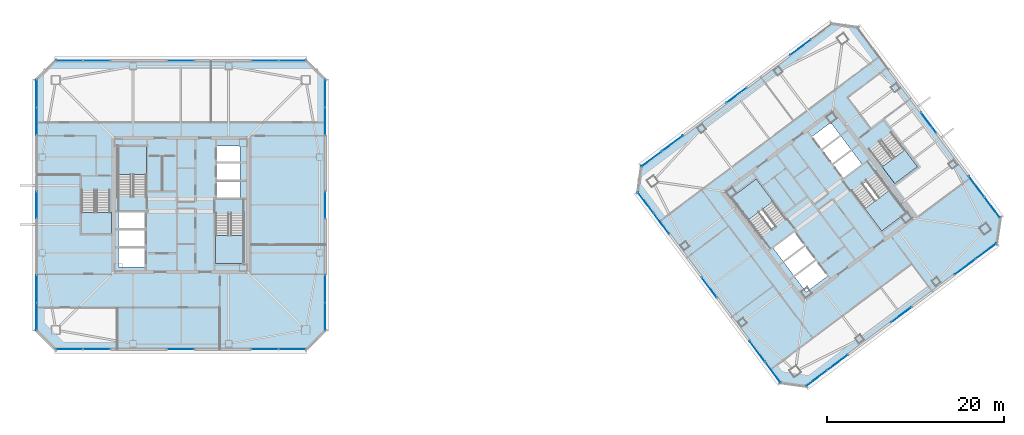
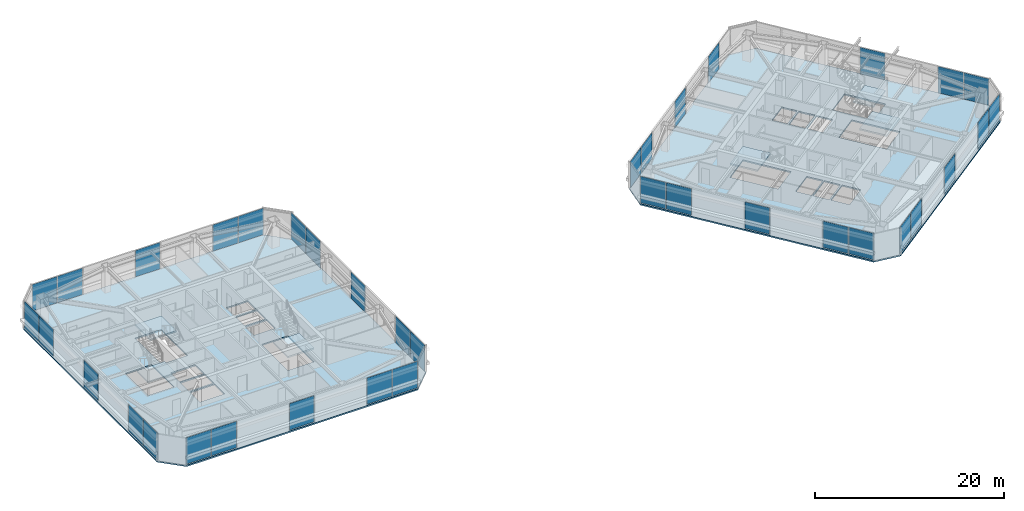
# One storey, part 32 of 44: 37 plates, 8 slabs, 29 elements without a shape of their own.
"""IFC4 building model written with IfcOpenShell, lengths in metres."""

from ifc_helpers import new_model, si_unit, direction, frame, origin, origin_2d, place, context, subcontext, project, spatial, polyline, rectangle, outline, extrude, material, layer, layer_set, type_object, element, aggregate, save


model = new_model("IFC4")

# Units and contexts
model_context = context("Model", 3, precision=1e-05, world=origin(), true_north=direction((0.0, 1.0)))
body_context = subcontext(model_context, "Body", "Model", "MODEL_VIEW")
ifc_project = project(units=[si_unit("LENGTHUNIT", "METRE"), si_unit("AREAUNIT", "SQUARE_METRE"), si_unit("VOLUMEUNIT", "CUBIC_METRE"), si_unit("PLANEANGLEUNIT", "RADIAN"), si_unit("MASSUNIT", "GRAM", prefix="KILO")], contexts=[model_context])

# Site, building, storey
site_placement = place(None, origin())
site = spatial("IfcSite", under=ifc_project, at=site_placement, CompositionType="ELEMENT")
building_placement = place(site_placement, origin())
building = spatial("IfcBuilding", under=site, at=building_placement, Name="Tashvorn Skyway Center", CompositionType="ELEMENT")
storey_placement = place(building_placement, frame((0.0, 0.0, 211.300048828125)))
storey = spatial("IfcBuildingStorey", under=building, at=storey_placement, Name="L57", CompositionType="ELEMENT", Elevation=211.300048828125)

# Curtain wall, plates
ifc_material_1 = material(Name="Thermally broken bronze-anodized aluminium 6063-T6", Category="aluminium")
curtain_wall_type = type_object("IfcCurtainWallType", Name="CW-CW-Z5", PredefinedType="NOTDEFINED", material=ifc_material_1)
curtain_wall_1_placement = place(storey_placement, origin())
curtain_wall_1 = element("IfcCurtainWall", 1, at=curtain_wall_1_placement, inside=storey, type_object=curtain_wall_type, Name="Tower 1 L57 South Unitised Curtain Wall Glazing Group 1", PredefinedType="NOTDEFINED")
ifc_material_2 = material(Name="Low-E solar-control double insulating safety glass", Category="glass")
ifc_layer_1 = layer(ifc_material_2, 0.031982421875)
ifc_layer_set_1 = layer_set([ifc_layer_1], Name="Low-E solar-control double insulating safety glass")
plate_type = type_object("IfcPlateType", Name="CWP-CW-Z5", PredefinedType="CURTAIN_PANEL", material=ifc_layer_set_1)
plate_1_placement = place(storey_placement, frame((54.5869140625, 15.719970703125, 0.06982421875), z_axis=(0.0, 0.0, 1.0), x_axis=(-1.0, 0.0, 0.0)))
plate_1 = element("IfcPlate", 2, at=plate_1_placement, type_object=plate_type, Name="CW-Z5 panel 1.1", PredefinedType="CURTAIN_PANEL", context=body_context, shape_type="SweptSolid", body=[
    extrude(rectangle(XDim=3.046142578125, YDim=0.031982421875, at=origin_2d()), origin(), (0.0, 0.0, 1.0), 3.409912109375),
])
plate_2_placement = place(storey_placement, frame((51.470947265625, 15.719970703125, 0.06982421875), z_axis=(0.0, 0.0, 1.0), x_axis=(-1.0, 0.0, 0.0)))
plate_2 = element("IfcPlate", 3, at=plate_2_placement, type_object=plate_type, Name="CW-Z5 panel 2.1", PredefinedType="CURTAIN_PANEL", context=body_context, shape_type="SweptSolid", body=[
    extrude(rectangle(XDim=3.046142578125, YDim=0.031982421875, at=origin_2d()), origin(), (0.0, 0.0, 1.0), 3.409912109375),
])
aggregate(curtain_wall_1, [plate_1, plate_2])

# Curtain wall, plate
curtain_wall_2_placement = place(storey_placement, origin())
curtain_wall_2 = element("IfcCurtainWall", 4, at=curtain_wall_2_placement, inside=storey, type_object=curtain_wall_type, Name="Tower 1 L57 South Unitised Curtain Wall Glazing Group 2", PredefinedType="NOTDEFINED")
plate_3_placement = place(storey_placement, frame((42.0, 15.719970703125, 0.06982421875), z_axis=(0.0, 0.0, 1.0), x_axis=(-1.0, 0.0, 0.0)))
plate_3 = element("IfcPlate", 5, at=plate_3_placement, type_object=plate_type, Name="CW-Z5 panel 1.1", PredefinedType="CURTAIN_PANEL", context=body_context, shape_type="SweptSolid", body=[
    extrude(rectangle(XDim=3.01123046875, YDim=0.031982421875, at=origin_2d()), origin(), (0.0, 0.0, 1.0), 3.409912109375),
])
aggregate(curtain_wall_2, [plate_3])

# Curtain wall, plates
curtain_wall_3_placement = place(storey_placement, origin())
curtain_wall_3 = element("IfcCurtainWall", 6, at=curtain_wall_3_placement, inside=storey, type_object=curtain_wall_type, Name="Tower 1 L57 South Unitised Curtain Wall Glazing Group 3", PredefinedType="NOTDEFINED")
plate_4_placement = place(storey_placement, frame((32.529052734375, 15.719970703125, 0.06982421875), z_axis=(0.0, 0.0, 1.0), x_axis=(-1.0, 0.0, 0.0)))
plate_4 = element("IfcPlate", 7, at=plate_4_placement, type_object=plate_type, Name="CW-Z5 panel 1.1", PredefinedType="CURTAIN_PANEL", context=body_context, shape_type="SweptSolid", body=[
    extrude(rectangle(XDim=3.046142578125, YDim=0.031982421875, at=origin_2d()), origin(), (0.0, 0.0, 1.0), 3.409912109375),
])
plate_5_placement = place(storey_placement, frame((29.4130859375, 15.719970703125, 0.06982421875), z_axis=(0.0, 0.0, 1.0), x_axis=(-1.0, 0.0, 0.0)))
plate_5 = element("IfcPlate", 8, at=plate_5_placement, type_object=plate_type, Name="CW-Z5 panel 2.1", PredefinedType="CURTAIN_PANEL", context=body_context, shape_type="SweptSolid", body=[
    extrude(rectangle(XDim=3.046142578125, YDim=0.031982421875, at=origin_2d()), origin(), (0.0, 0.0, 1.0), 3.409912109375),
])
aggregate(curtain_wall_3, [plate_4, plate_5])

curtain_wall_4_placement = place(storey_placement, origin())
curtain_wall_4 = element("IfcCurtainWall", 9, at=curtain_wall_4_placement, inside=storey, type_object=curtain_wall_type, Name="Tower 1 L57 West Unitised Curtain Wall Glazing Group 1", PredefinedType="NOTDEFINED")
plate_6_placement = place(storey_placement, frame((25.719970703125, 19.4130859375, 0.06982421875), z_axis=(0.0, 0.0, 1.0), x_axis=(0.0, 1.0, 0.0)))
plate_6 = element("IfcPlate", 10, at=plate_6_placement, type_object=plate_type, Name="CW-Z5 panel 1.1", PredefinedType="CURTAIN_PANEL", context=body_context, shape_type="SweptSolid", body=[
    extrude(rectangle(XDim=3.046142578125, YDim=0.031982421875, at=origin_2d()), origin(), (0.0, 0.0, 1.0), 3.409912109375),
])
plate_7_placement = place(storey_placement, frame((25.719970703125, 22.529052734375, 0.06982421875), z_axis=(0.0, 0.0, 1.0), x_axis=(0.0, 1.0, 0.0)))
plate_7 = element("IfcPlate", 11, at=plate_7_placement, type_object=plate_type, Name="CW-Z5 panel 2.1", PredefinedType="CURTAIN_PANEL", context=body_context, shape_type="SweptSolid", body=[
    extrude(rectangle(XDim=3.046142578125, YDim=0.031982421875, at=origin_2d()), origin(), (0.0, 0.0, 1.0), 3.409912109375),
])
aggregate(curtain_wall_4, [plate_6, plate_7])

# Curtain wall, plate
curtain_wall_5_placement = place(storey_placement, origin())
curtain_wall_5 = element("IfcCurtainWall", 12, at=curtain_wall_5_placement, inside=storey, type_object=curtain_wall_type, Name="Tower 1 L57 West Unitised Curtain Wall Glazing Group 2", PredefinedType="NOTDEFINED")
plate_8_placement = place(storey_placement, frame((25.719970703125, 32.0, 0.06982421875), z_axis=(0.0, 0.0, 1.0), x_axis=(0.0, 1.0, 0.0)))
plate_8 = element("IfcPlate", 13, at=plate_8_placement, type_object=plate_type, Name="CW-Z5 panel 1.1", PredefinedType="CURTAIN_PANEL", context=body_context, shape_type="SweptSolid", body=[
    extrude(rectangle(XDim=3.01123046875, YDim=0.031982421875, at=origin_2d()), origin(), (0.0, 0.0, 1.0), 3.409912109375),
])
aggregate(curtain_wall_5, [plate_8])

# Curtain wall, plates
curtain_wall_6_placement = place(storey_placement, origin())
curtain_wall_6 = element("IfcCurtainWall", 14, at=curtain_wall_6_placement, inside=storey, type_object=curtain_wall_type, Name="Tower 1 L57 West Unitised Curtain Wall Glazing Group 3", PredefinedType="NOTDEFINED")
plate_9_placement = place(storey_placement, frame((25.719970703125, 41.470947265625, 0.06982421875), z_axis=(0.0, 0.0, 1.0), x_axis=(0.0, 1.0, 0.0)))
plate_9 = element("IfcPlate", 15, at=plate_9_placement, type_object=plate_type, Name="CW-Z5 panel 1.1", PredefinedType="CURTAIN_PANEL", context=body_context, shape_type="SweptSolid", body=[
    extrude(rectangle(XDim=3.046142578125, YDim=0.031982421875, at=origin_2d()), origin(), (0.0, 0.0, 1.0), 3.409912109375),
])
plate_10_placement = place(storey_placement, frame((25.719970703125, 44.5869140625, 0.06982421875), z_axis=(0.0, 0.0, 1.0), x_axis=(0.0, 1.0, 0.0)))
plate_10 = element("IfcPlate", 16, at=plate_10_placement, type_object=plate_type, Name="CW-Z5 panel 2.1", PredefinedType="CURTAIN_PANEL", context=body_context, shape_type="SweptSolid", body=[
    extrude(rectangle(XDim=3.046142578125, YDim=0.031982421875, at=origin_2d()), origin(), (0.0, 0.0, 1.0), 3.409912109375),
])
aggregate(curtain_wall_6, [plate_9, plate_10])

curtain_wall_7_placement = place(storey_placement, origin())
curtain_wall_7 = element("IfcCurtainWall", 17, at=curtain_wall_7_placement, inside=storey, type_object=curtain_wall_type, Name="Tower 1 L57 North Unitised Curtain Wall Glazing Group 1", PredefinedType="NOTDEFINED")
plate_11_placement = place(storey_placement, frame((29.4130859375, 48.280029296875, 0.06982421875), z_axis=(0.0, 0.0, 1.0), x_axis=(1.0, 0.0, 0.0)))
plate_11 = element("IfcPlate", 18, at=plate_11_placement, type_object=plate_type, Name="CW-Z5 panel 1.1", PredefinedType="CURTAIN_PANEL", context=body_context, shape_type="SweptSolid", body=[
    extrude(rectangle(XDim=3.046142578125, YDim=0.031982421875, at=origin_2d()), origin(), (0.0, 0.0, 1.0), 3.409912109375),
])
plate_12_placement = place(storey_placement, frame((32.529052734375, 48.280029296875, 0.06982421875), z_axis=(0.0, 0.0, 1.0), x_axis=(1.0, 0.0, 0.0)))
plate_12 = element("IfcPlate", 19, at=plate_12_placement, type_object=plate_type, Name="CW-Z5 panel 2.1", PredefinedType="CURTAIN_PANEL", context=body_context, shape_type="SweptSolid", body=[
    extrude(rectangle(XDim=3.046142578125, YDim=0.031982421875, at=origin_2d()), origin(), (0.0, 0.0, 1.0), 3.409912109375),
])
aggregate(curtain_wall_7, [plate_11, plate_12])

# Curtain wall, plate
curtain_wall_8_placement = place(storey_placement, origin())
curtain_wall_8 = element("IfcCurtainWall", 20, at=curtain_wall_8_placement, inside=storey, type_object=curtain_wall_type, Name="Tower 1 L57 North Unitised Curtain Wall Glazing Group 2", PredefinedType="NOTDEFINED")
plate_13_placement = place(storey_placement, frame((42.0, 48.280029296875, 0.06982421875), z_axis=(0.0, 0.0, 1.0), x_axis=(1.0, 0.0, 0.0)))
plate_13 = element("IfcPlate", 21, at=plate_13_placement, type_object=plate_type, Name="CW-Z5 panel 1.1", PredefinedType="CURTAIN_PANEL", context=body_context, shape_type="SweptSolid", body=[
    extrude(rectangle(XDim=3.01123046875, YDim=0.031982421875, at=origin_2d()), origin(), (0.0, 0.0, 1.0), 3.409912109375),
])
aggregate(curtain_wall_8, [plate_13])

# Curtain wall, plates
curtain_wall_9_placement = place(storey_placement, origin())
curtain_wall_9 = element("IfcCurtainWall", 22, at=curtain_wall_9_placement, inside=storey, type_object=curtain_wall_type, Name="Tower 1 L57 North Unitised Curtain Wall Glazing Group 3", PredefinedType="NOTDEFINED")
plate_14_placement = place(storey_placement, frame((51.470947265625, 48.280029296875, 0.06982421875), z_axis=(0.0, 0.0, 1.0), x_axis=(1.0, 0.0, 0.0)))
plate_14 = element("IfcPlate", 23, at=plate_14_placement, type_object=plate_type, Name="CW-Z5 panel 1.1", PredefinedType="CURTAIN_PANEL", context=body_context, shape_type="SweptSolid", body=[
    extrude(rectangle(XDim=3.046142578125, YDim=0.031982421875, at=origin_2d()), origin(), (0.0, 0.0, 1.0), 3.409912109375),
])
plate_15_placement = place(storey_placement, frame((54.5869140625, 48.280029296875, 0.06982421875), z_axis=(0.0, 0.0, 1.0), x_axis=(1.0, 0.0, 0.0)))
plate_15 = element("IfcPlate", 24, at=plate_15_placement, type_object=plate_type, Name="CW-Z5 panel 2.1", PredefinedType="CURTAIN_PANEL", context=body_context, shape_type="SweptSolid", body=[
    extrude(rectangle(XDim=3.046142578125, YDim=0.031982421875, at=origin_2d()), origin(), (0.0, 0.0, 1.0), 3.409912109375),
])
aggregate(curtain_wall_9, [plate_14, plate_15])

curtain_wall_10_placement = place(storey_placement, origin())
curtain_wall_10 = element("IfcCurtainWall", 25, at=curtain_wall_10_placement, inside=storey, type_object=curtain_wall_type, Name="Tower 1 L57 East Unitised Curtain Wall Glazing Group 1", PredefinedType="NOTDEFINED")
plate_16_placement = place(storey_placement, frame((58.280029296875, 44.5869140625, 0.06982421875), z_axis=(0.0, 0.0, 1.0), x_axis=(0.0, -1.0, 0.0)))
plate_16 = element("IfcPlate", 26, at=plate_16_placement, type_object=plate_type, Name="CW-Z5 panel 1.1", PredefinedType="CURTAIN_PANEL", context=body_context, shape_type="SweptSolid", body=[
    extrude(rectangle(XDim=3.046142578125, YDim=0.031982421875, at=origin_2d()), origin(), (0.0, 0.0, 1.0), 3.409912109375),
])
plate_17_placement = place(storey_placement, frame((58.280029296875, 41.470947265625, 0.06982421875), z_axis=(0.0, 0.0, 1.0), x_axis=(0.0, -1.0, 0.0)))
plate_17 = element("IfcPlate", 27, at=plate_17_placement, type_object=plate_type, Name="CW-Z5 panel 2.1", PredefinedType="CURTAIN_PANEL", context=body_context, shape_type="SweptSolid", body=[
    extrude(rectangle(XDim=3.046142578125, YDim=0.031982421875, at=origin_2d()), origin(), (0.0, 0.0, 1.0), 3.409912109375),
])
aggregate(curtain_wall_10, [plate_16, plate_17])

# Curtain wall, plate
curtain_wall_11_placement = place(storey_placement, origin())
curtain_wall_11 = element("IfcCurtainWall", 28, at=curtain_wall_11_placement, inside=storey, type_object=curtain_wall_type, Name="Tower 1 L57 East Unitised Curtain Wall Glazing Group 2", PredefinedType="NOTDEFINED")
plate_18_placement = place(storey_placement, frame((58.280029296875, 32.0, 0.06982421875), z_axis=(0.0, 0.0, 1.0), x_axis=(0.0, -1.0, 0.0)))
plate_18 = element("IfcPlate", 29, at=plate_18_placement, type_object=plate_type, Name="CW-Z5 panel 1.1", PredefinedType="CURTAIN_PANEL", context=body_context, shape_type="SweptSolid", body=[
    extrude(rectangle(XDim=3.01123046875, YDim=0.031982421875, at=origin_2d()), origin(), (0.0, 0.0, 1.0), 3.409912109375),
])
aggregate(curtain_wall_11, [plate_18])

# Curtain wall, plates
curtain_wall_12_placement = place(storey_placement, origin())
curtain_wall_12 = element("IfcCurtainWall", 30, at=curtain_wall_12_placement, inside=storey, type_object=curtain_wall_type, Name="Tower 1 L57 East Unitised Curtain Wall Glazing Group 3", PredefinedType="NOTDEFINED")
plate_19_placement = place(storey_placement, frame((58.280029296875, 22.529052734375, 0.06982421875), z_axis=(0.0, 0.0, 1.0), x_axis=(0.0, -1.0, 0.0)))
plate_19 = element("IfcPlate", 31, at=plate_19_placement, type_object=plate_type, Name="CW-Z5 panel 1.1", PredefinedType="CURTAIN_PANEL", context=body_context, shape_type="SweptSolid", body=[
    extrude(rectangle(XDim=3.046142578125, YDim=0.031982421875, at=origin_2d()), origin(), (0.0, 0.0, 1.0), 3.409912109375),
])
plate_20_placement = place(storey_placement, frame((58.280029296875, 19.4130859375, 0.06982421875), z_axis=(0.0, 0.0, 1.0), x_axis=(0.0, -1.0, 0.0)))
plate_20 = element("IfcPlate", 32, at=plate_20_placement, type_object=plate_type, Name="CW-Z5 panel 2.1", PredefinedType="CURTAIN_PANEL", context=body_context, shape_type="SweptSolid", body=[
    extrude(rectangle(XDim=3.046142578125, YDim=0.031982421875, at=origin_2d()), origin(), (0.0, 0.0, 1.0), 3.409912109375),
])
aggregate(curtain_wall_12, [plate_19, plate_20])

curtain_wall_13_placement = place(storey_placement, origin())
curtain_wall_13 = element("IfcCurtainWall", 33, at=curtain_wall_13_placement, inside=storey, type_object=curtain_wall_type, Name="Tower 2 L57 South Unitised Curtain Wall Glazing Group 1", PredefinedType="NOTDEFINED")
plate_21_placement = place(storey_placement, frame((132.85986328125, 26.794921875, 0.06982421875), z_axis=(0.0, 0.0, 1.0), x_axis=(-0.79999799704, -0.600002670604, 0.0)))
plate_21 = element("IfcPlate", 34, at=plate_21_placement, type_object=plate_type, Name="CW-Z5 panel 1.1", PredefinedType="CURTAIN_PANEL", context=body_context, shape_type="SweptSolid", body=[
    extrude(rectangle(XDim=2.890625, YDim=0.031982421875, at=origin_2d()), origin(), (0.0, 0.0, 1.0), 3.409912109375),
])
plate_22_placement = place(storey_placement, frame((130.4912109375, 25.0185546875, 0.06982421875), z_axis=(0.0, 0.0, 1.0), x_axis=(-0.79999799704, -0.600002670604, 0.0)))
plate_22 = element("IfcPlate", 35, at=plate_22_placement, type_object=plate_type, Name="CW-Z5 panel 2.1", PredefinedType="CURTAIN_PANEL", context=body_context, shape_type="SweptSolid", body=[
    extrude(rectangle(XDim=2.890625, YDim=0.031982421875, at=origin_2d()), origin(), (0.0, 0.0, 1.0), 3.409912109375),
])
aggregate(curtain_wall_13, [plate_21, plate_22])

# Curtain wall, plate
curtain_wall_14_placement = place(storey_placement, origin())
curtain_wall_14 = element("IfcCurtainWall", 36, at=curtain_wall_14_placement, inside=storey, type_object=curtain_wall_type, Name="Tower 2 L57 South Unitised Curtain Wall Glazing Group 2", PredefinedType="NOTDEFINED")
plate_23_placement = place(storey_placement, frame((123.2880859375, 19.615966796875, 0.06982421875), z_axis=(0.0, 0.0, 1.0), x_axis=(-0.799983975999, -0.600021364741, 0.0)))
plate_23 = element("IfcPlate", 37, at=plate_23_placement, type_object=plate_type, Name="CW-Z5 panel 1.1", PredefinedType="CURTAIN_PANEL", context=body_context, shape_type="SweptSolid", body=[
    extrude(rectangle(XDim=2.85546875, YDim=0.031982421875, at=origin_2d()), origin(), (0.0, 0.0, 1.0), 3.409912109375),
])
aggregate(curtain_wall_14, [plate_23])

# Curtain wall, plates
curtain_wall_15_placement = place(storey_placement, origin())
curtain_wall_15 = element("IfcCurtainWall", 38, at=curtain_wall_15_placement, inside=storey, type_object=curtain_wall_type, Name="Tower 2 L57 South Unitised Curtain Wall Glazing Group 3", PredefinedType="NOTDEFINED")
plate_24_placement = place(storey_placement, frame((116.084716796875, 14.213623046875, 0.06982421875), z_axis=(0.0, 0.0, 1.0), x_axis=(-0.79999799704, -0.600002670604, 0.0)))
plate_24 = element("IfcPlate", 39, at=plate_24_placement, type_object=plate_type, Name="CW-Z5 panel 1.1", PredefinedType="CURTAIN_PANEL", context=body_context, shape_type="SweptSolid", body=[
    extrude(rectangle(XDim=2.890625, YDim=0.031982421875, at=origin_2d()), origin(), (0.0, 0.0, 1.0), 3.409912109375),
])
plate_25_placement = place(storey_placement, frame((113.71630859375, 12.437255859375, 0.06982421875), z_axis=(0.0, 0.0, 1.0), x_axis=(-0.79999799704, -0.600002670604, 0.0)))
plate_25 = element("IfcPlate", 40, at=plate_25_placement, type_object=plate_type, Name="CW-Z5 panel 2.1", PredefinedType="CURTAIN_PANEL", context=body_context, shape_type="SweptSolid", body=[
    extrude(rectangle(XDim=2.890625, YDim=0.031982421875, at=origin_2d()), origin(), (0.0, 0.0, 1.0), 3.409912109375),
])
aggregate(curtain_wall_15, [plate_24, plate_25])

curtain_wall_16_placement = place(storey_placement, origin())
curtain_wall_16 = element("IfcCurtainWall", 41, at=curtain_wall_16_placement, inside=storey, type_object=curtain_wall_type, Name="Tower 2 L57 West Unitised Curtain Wall Glazing Group 1", PredefinedType="NOTDEFINED")
plate_26_placement = place(storey_placement, frame((108.794921875, 13.14013671875, 0.06982421875), z_axis=(0.0, 0.0, 1.0), x_axis=(-0.600002670604, 0.79999799704, 0.0)))
plate_26 = element("IfcPlate", 42, at=plate_26_placement, type_object=plate_type, Name="CW-Z5 panel 1.1", PredefinedType="CURTAIN_PANEL", context=body_context, shape_type="SweptSolid", body=[
    extrude(rectangle(XDim=2.890625, YDim=0.031982421875, at=origin_2d()), origin(), (0.0, 0.0, 1.0), 3.409912109375),
])
plate_27_placement = place(storey_placement, frame((107.0185546875, 15.5087890625, 0.06982421875), z_axis=(0.0, 0.0, 1.0), x_axis=(-0.600002670604, 0.79999799704, 0.0)))
plate_27 = element("IfcPlate", 43, at=plate_27_placement, type_object=plate_type, Name="CW-Z5 panel 2.1", PredefinedType="CURTAIN_PANEL", context=body_context, shape_type="SweptSolid", body=[
    extrude(rectangle(XDim=2.890625, YDim=0.031982421875, at=origin_2d()), origin(), (0.0, 0.0, 1.0), 3.409912109375),
])
aggregate(curtain_wall_16, [plate_26, plate_27])

# Curtain wall, plate
curtain_wall_17_placement = place(storey_placement, origin())
curtain_wall_17 = element("IfcCurtainWall", 44, at=curtain_wall_17_placement, inside=storey, type_object=curtain_wall_type, Name="Tower 2 L57 West Unitised Curtain Wall Glazing Group 2", PredefinedType="NOTDEFINED")
plate_28_placement = place(storey_placement, frame((101.615966796875, 22.7119140625, 0.06982421875), z_axis=(0.0, 0.0, 1.0), x_axis=(-0.600021364741, 0.799983975999, 0.0)))
plate_28 = element("IfcPlate", 45, at=plate_28_placement, type_object=plate_type, Name="CW-Z5 panel 1.1", PredefinedType="CURTAIN_PANEL", context=body_context, shape_type="SweptSolid", body=[
    extrude(rectangle(XDim=2.85546875, YDim=0.031982421875, at=origin_2d()), origin(), (0.0, 0.0, 1.0), 3.409912109375),
])
aggregate(curtain_wall_17, [plate_28])

# Curtain wall, plates
curtain_wall_18_placement = place(storey_placement, origin())
curtain_wall_18 = element("IfcCurtainWall", 46, at=curtain_wall_18_placement, inside=storey, type_object=curtain_wall_type, Name="Tower 2 L57 West Unitised Curtain Wall Glazing Group 3", PredefinedType="NOTDEFINED")
plate_29_placement = place(storey_placement, frame((96.213623046875, 29.915283203125, 0.06982421875), z_axis=(0.0, 0.0, 1.0), x_axis=(-0.600002670604, 0.79999799704, 0.0)))
plate_29 = element("IfcPlate", 47, at=plate_29_placement, type_object=plate_type, Name="CW-Z5 panel 1.1", PredefinedType="CURTAIN_PANEL", context=body_context, shape_type="SweptSolid", body=[
    extrude(rectangle(XDim=2.890625, YDim=0.031982421875, at=origin_2d()), origin(), (0.0, 0.0, 1.0), 3.409912109375),
])
plate_30_placement = place(storey_placement, frame((94.437255859375, 32.28369140625, 0.06982421875), z_axis=(0.0, 0.0, 1.0), x_axis=(-0.600002670604, 0.79999799704, 0.0)))
plate_30 = element("IfcPlate", 48, at=plate_30_placement, type_object=plate_type, Name="CW-Z5 panel 2.1", PredefinedType="CURTAIN_PANEL", context=body_context, shape_type="SweptSolid", body=[
    extrude(rectangle(XDim=2.890625, YDim=0.031982421875, at=origin_2d()), origin(), (0.0, 0.0, 1.0), 3.409912109375),
])
aggregate(curtain_wall_18, [plate_29, plate_30])

curtain_wall_19_placement = place(storey_placement, origin())
curtain_wall_19 = element("IfcCurtainWall", 49, at=curtain_wall_19_placement, inside=storey, type_object=curtain_wall_type, Name="Tower 2 L57 North Unitised Curtain Wall Glazing Group 1", PredefinedType="NOTDEFINED")
plate_31_placement = place(storey_placement, frame((95.14013671875, 37.205078125, 0.06982421875), z_axis=(0.0, 0.0, 1.0), x_axis=(0.79999799704, 0.600002670604, 0.0)))
plate_31 = element("IfcPlate", 50, at=plate_31_placement, type_object=plate_type, Name="CW-Z5 panel 1.1", PredefinedType="CURTAIN_PANEL", context=body_context, shape_type="SweptSolid", body=[
    extrude(rectangle(XDim=2.890625, YDim=0.031982421875, at=origin_2d()), origin(), (0.0, 0.0, 1.0), 3.409912109375),
])
plate_32_placement = place(storey_placement, frame((97.5087890625, 38.9814453125, 0.06982421875), z_axis=(0.0, 0.0, 1.0), x_axis=(0.79999799704, 0.600002670604, 0.0)))
plate_32 = element("IfcPlate", 51, at=plate_32_placement, type_object=plate_type, Name="CW-Z5 panel 2.1", PredefinedType="CURTAIN_PANEL", context=body_context, shape_type="SweptSolid", body=[
    extrude(rectangle(XDim=2.890625, YDim=0.031982421875, at=origin_2d()), origin(), (0.0, 0.0, 1.0), 3.409912109375),
])
aggregate(curtain_wall_19, [plate_31, plate_32])

# Curtain wall, plate
curtain_wall_20_placement = place(storey_placement, origin())
curtain_wall_20 = element("IfcCurtainWall", 52, at=curtain_wall_20_placement, inside=storey, type_object=curtain_wall_type, Name="Tower 2 L57 North Unitised Curtain Wall Glazing Group 2", PredefinedType="NOTDEFINED")
plate_33_placement = place(storey_placement, frame((104.7119140625, 44.384033203125, 0.06982421875), z_axis=(0.0, 0.0, 1.0), x_axis=(0.799983975999, 0.600021364741, 0.0)))
plate_33 = element("IfcPlate", 53, at=plate_33_placement, type_object=plate_type, Name="CW-Z5 panel 1.1", PredefinedType="CURTAIN_PANEL", context=body_context, shape_type="SweptSolid", body=[
    extrude(rectangle(XDim=2.85546875, YDim=0.031982421875, at=origin_2d()), origin(), (0.0, 0.0, 1.0), 3.409912109375),
])
aggregate(curtain_wall_20, [plate_33])

curtain_wall_21_placement = place(storey_placement, origin())
curtain_wall_21 = element("IfcCurtainWall", 54, at=curtain_wall_21_placement, inside=storey, type_object=curtain_wall_type, Name="Tower 2 L57 North Unitised Curtain Wall Glazing Group 3", PredefinedType="NOTDEFINED")
plate_34_placement = place(storey_placement, frame((111.915283203125, 49.786376953125, 0.06982421875), z_axis=(0.0, 0.0, 1.0), x_axis=(0.79999799704, 0.600002670604, 0.0)))
plate_34 = element("IfcPlate", 55, at=plate_34_placement, type_object=plate_type, Name="CW-Z5 panel 1.1", PredefinedType="CURTAIN_PANEL", context=body_context, shape_type="SweptSolid", body=[
    extrude(rectangle(XDim=2.890625, YDim=0.031982421875, at=origin_2d()), origin(), (0.0, 0.0, 1.0), 3.409912109375),
])
aggregate(curtain_wall_21, [plate_34])

curtain_wall_22_placement = place(storey_placement, origin())
curtain_wall_22 = element("IfcCurtainWall", 56, at=curtain_wall_22_placement, inside=storey, type_object=curtain_wall_type, Name="Tower 2 L57 East Unitised Curtain Wall Glazing Group 2", PredefinedType="NOTDEFINED")
plate_35_placement = place(storey_placement, frame((126.384033203125, 41.2880859375, 0.06982421875), z_axis=(0.0, 0.0, 1.0), x_axis=(0.600021364741, -0.799983975999, 0.0)))
plate_35 = element("IfcPlate", 57, at=plate_35_placement, type_object=plate_type, Name="CW-Z5 panel 1.1", PredefinedType="CURTAIN_PANEL", context=body_context, shape_type="SweptSolid", body=[
    extrude(rectangle(XDim=2.85546875, YDim=0.031982421875, at=origin_2d()), origin(), (0.0, 0.0, 1.0), 3.409912109375),
])
aggregate(curtain_wall_22, [plate_35])

# Curtain wall, plates
curtain_wall_23_placement = place(storey_placement, origin())
curtain_wall_23 = element("IfcCurtainWall", 58, at=curtain_wall_23_placement, inside=storey, type_object=curtain_wall_type, Name="Tower 2 L57 East Unitised Curtain Wall Glazing Group 3", PredefinedType="NOTDEFINED")
plate_36_placement = place(storey_placement, frame((131.786376953125, 34.084716796875, 0.06982421875), z_axis=(0.0, 0.0, 1.0), x_axis=(0.600002670604, -0.79999799704, 0.0)))
plate_36 = element("IfcPlate", 59, at=plate_36_placement, type_object=plate_type, Name="CW-Z5 panel 1.1", PredefinedType="CURTAIN_PANEL", context=body_context, shape_type="SweptSolid", body=[
    extrude(rectangle(XDim=2.890625, YDim=0.031982421875, at=origin_2d()), origin(), (0.0, 0.0, 1.0), 3.409912109375),
])
plate_37_placement = place(storey_placement, frame((133.562744140625, 31.71630859375, 0.06982421875), z_axis=(0.0, 0.0, 1.0), x_axis=(0.600002670604, -0.79999799704, 0.0)))
plate_37 = element("IfcPlate", 60, at=plate_37_placement, type_object=plate_type, Name="CW-Z5 panel 2.1", PredefinedType="CURTAIN_PANEL", context=body_context, shape_type="SweptSolid", body=[
    extrude(rectangle(XDim=2.890625, YDim=0.031982421875, at=origin_2d()), origin(), (0.0, 0.0, 1.0), 3.409912109375),
])
aggregate(curtain_wall_23, [plate_36, plate_37])

# Slabs
ifc_material_3 = material(Name="Concrete C40/50", Category="concrete")
ifc_layer_2 = layer(ifc_material_3, 0.179931640625)
ifc_layer_set_2 = layer_set([ifc_layer_2], Name="Concrete C40/50")
slab_type_1 = type_object("IfcSlabType", Name="SLAB-FLR-180", PredefinedType="FLOOR", material=ifc_layer_set_2)
slab_1_placement = place(storey_placement, frame((0.0, 0.0, -0.179931640625)))
element("IfcSlab", 61, at=slab_1_placement, inside=storey, type_object=slab_type_1, Name="Tower 1 L57 Composite Floor Slab", PredefinedType="FLOOR", context=body_context, shape_type="SweptSolid", body=[
    extrude(outline(polyline([(27.89990234375, 15.60009765625), (56.10009765625, 15.60009765625), (58.39990234375, 17.89990234375), (58.39990234375, 46.10009765625), (56.10009765625, 48.39990234375), (27.89990234375, 48.39990234375), (25.60009765625, 46.10009765625), (25.60009765625, 17.89990234375), (27.89990234375, 15.60009765625)]), holes=[polyline([(38.10009765625, 33.080078125), (38.10009765625, 38.60009765625), (34.89990234375, 38.60009765625), (34.89990234375, 33.080078125), (38.10009765625, 33.080078125)]), polyline([(45.89990234375, 30.919921875), (45.89990234375, 25.39990234375), (49.10009765625, 25.39990234375), (49.10009765625, 30.919921875), (45.89990234375, 30.919921875)]), polyline([(30.800048828125, 33.52001953125), (30.800048828125, 28.800048828125), (34.0, 28.800048828125), (34.0, 33.52001953125), (30.800048828125, 33.52001953125)]), polyline([(34.949951171875, 29.35009765625), (37.949951171875, 29.35009765625), (37.949951171875, 31.199951171875), (34.949951171875, 31.199951171875), (34.949951171875, 29.35009765625)]), polyline([(34.949951171875, 27.35009765625), (37.949951171875, 27.35009765625), (37.949951171875, 29.199951171875), (34.949951171875, 29.199951171875), (34.949951171875, 27.35009765625)]), polyline([(34.949951171875, 25.0), (37.949951171875, 25.0), (37.949951171875, 27.14990234375), (34.949951171875, 27.14990234375), (34.949951171875, 25.0)]), polyline([(46.050048828125, 32.800048828125), (48.64990234375, 32.800048828125), (48.64990234375, 34.64990234375), (46.050048828125, 34.64990234375), (46.050048828125, 32.800048828125)]), polyline([(46.050048828125, 34.85009765625), (48.64990234375, 34.85009765625), (48.64990234375, 36.699951171875), (46.050048828125, 36.699951171875), (46.050048828125, 34.85009765625)]), polyline([(46.050048828125, 36.89990234375), (48.64990234375, 36.89990234375), (48.64990234375, 38.64990234375), (46.050048828125, 38.64990234375), (46.050048828125, 36.89990234375)])]), origin(), (0.0, 0.0, 1.0), 0.179931640625),
])
slab_2_placement = place(storey_placement, frame((0.0, 0.0, -0.179931640625)))
element("IfcSlab", 62, at=slab_2_placement, inside=storey, type_object=slab_type_1, Name="Tower 2 L57 Composite Floor Slab", PredefinedType="FLOOR", context=body_context, shape_type="SweptSolid", body=[
    extrude(outline(polyline([(112.639892578125, 11.47998046875), (134.080078125, 27.56005859375), (134.52001953125, 30.639892578125), (118.43994140625, 52.080078125), (115.360107421875, 52.52001953125), (93.919921875, 36.43994140625), (93.47998046875, 33.360107421875), (109.56005859375, 11.919921875), (112.639892578125, 11.47998046875)]), holes=[polyline([(110.23193359375, 30.52392578125), (106.919921875, 34.93994140625), (104.135986328125, 32.85205078125), (107.447998046875, 28.43603515625), (110.23193359375, 30.52392578125)]), polyline([(117.76806640625, 33.47607421875), (121.080078125, 29.06005859375), (123.864013671875, 31.14794921875), (120.552001953125, 35.56396484375), (117.76806640625, 33.47607421875)]), polyline([(119.7119140625, 38.18408203125), (122.5439453125, 34.407958984375), (125.10400390625, 36.327880859375), (122.27197265625, 40.10400390625), (119.7119140625, 38.18408203125)]), polyline([(109.949951171875, 25.64990234375), (112.35009765625, 27.449951171875), (111.239990234375, 28.929931640625), (108.840087890625, 27.1298828125), (109.949951171875, 25.64990234375)]), polyline([(111.14990234375, 24.050048828125), (113.550048828125, 25.85009765625), (112.43994140625, 27.330078125), (110.0400390625, 25.530029296875), (111.14990234375, 24.050048828125)]), polyline([(112.56005859375, 22.169921875), (114.9599609375, 23.969970703125), (113.669921875, 25.68994140625), (111.27001953125, 23.889892578125), (112.56005859375, 22.169921875)]), polyline([(116.760009765625, 35.070068359375), (118.840087890625, 36.6298828125), (117.72998046875, 38.110107421875), (115.64990234375, 36.550048828125), (116.760009765625, 35.070068359375)]), polyline([(115.530029296875, 36.7099609375), (117.610107421875, 38.27001953125), (116.5, 39.75), (114.419921875, 38.18994140625), (115.530029296875, 36.7099609375)]), polyline([(114.300048828125, 38.35009765625), (116.3798828125, 39.909912109375), (115.330078125, 41.31005859375), (113.25, 39.75), (114.300048828125, 38.35009765625)])]), origin(), (0.0, 0.0, 1.0), 0.179931640625),
])

# Stair, slab
stair_type = type_object("IfcStairType", Name="STAIR-CORE-1500", PredefinedType="HALF_TURN_STAIR", material=ifc_material_3)
stair_1_placement = place(storey_placement, origin())
stair_1 = element("IfcStair", 63, at=stair_1_placement, inside=storey, type_object=stair_type, Name="L57 Tower 1 Exit Stair 1", PredefinedType="HALF_TURN_STAIR")
ifc_layer_3 = layer(ifc_material_3, 0.199951171875)
ifc_layer_set_3 = layer_set([ifc_layer_3], Name="Concrete C40/50")
slab_type_2 = type_object("IfcSlabType", Name="SLAB-LAND-200", PredefinedType="LANDING", material=ifc_layer_set_3)
slab_3_placement = place(storey_placement, frame((0.0, 0.0, 1.574951171875)))
slab_3 = element("IfcSlab", 64, at=slab_3_placement, type_object=slab_type_2, Name="ST-T1-1 landing 1", PredefinedType="LANDING", context=body_context, shape_type="SweptSolid", body=[
    extrude(outline(polyline([(38.10009765625, 35.43994140625), (38.10009765625, 38.60009765625), (34.89990234375, 38.60009765625), (34.89990234375, 35.43994140625), (38.10009765625, 35.43994140625)])), origin(), (0.0, 0.0, 1.0), 0.199951171875),
])
aggregate(stair_1, [slab_3])

stair_2_placement = place(storey_placement, origin())
stair_2 = element("IfcStair", 65, at=stair_2_placement, inside=storey, type_object=stair_type, Name="L57 Tower 1 Exit Stair 2", PredefinedType="HALF_TURN_STAIR")
slab_4_placement = place(storey_placement, frame((0.0, 0.0, 1.574951171875)))
slab_4 = element("IfcSlab", 66, at=slab_4_placement, type_object=slab_type_2, Name="ST-T1-2 landing 1", PredefinedType="LANDING", context=body_context, shape_type="SweptSolid", body=[
    extrude(outline(polyline([(45.89990234375, 28.56005859375), (45.89990234375, 25.39990234375), (49.10009765625, 25.39990234375), (49.10009765625, 28.56005859375), (45.89990234375, 28.56005859375)])), origin(), (0.0, 0.0, 1.0), 0.199951171875),
])
aggregate(stair_2, [slab_4])

stair_3_placement = place(storey_placement, origin())
stair_3 = element("IfcStair", 67, at=stair_3_placement, inside=storey, type_object=stair_type, Name="L57 Tower 2 Exit Stair 1", PredefinedType="HALF_TURN_STAIR")
slab_5_placement = place(storey_placement, frame((0.0, 0.0, 1.574951171875)))
slab_5 = element("IfcSlab", 68, at=slab_5_placement, type_object=slab_type_2, Name="ST-T2-1 landing 1", PredefinedType="LANDING", context=body_context, shape_type="SweptSolid", body=[
    extrude(outline(polyline([(108.82080078125, 32.405517578125), (106.919921875, 34.93994140625), (104.135986328125, 32.85205078125), (106.036865234375, 30.317626953125), (108.82080078125, 32.405517578125)])), origin(), (0.0, 0.0, 1.0), 0.199951171875),
])
aggregate(stair_3, [slab_5])

stair_4_placement = place(storey_placement, origin())
stair_4 = element("IfcStair", 69, at=stair_4_placement, inside=storey, type_object=stair_type, Name="L57 Tower 2 Exit Stair 2", PredefinedType="HALF_TURN_STAIR")
slab_6_placement = place(storey_placement, frame((0.0, 0.0, 1.574951171875)))
slab_6 = element("IfcSlab", 70, at=slab_6_placement, type_object=slab_type_2, Name="ST-T2-2 landing 1", PredefinedType="LANDING", context=body_context, shape_type="SweptSolid", body=[
    extrude(outline(polyline([(119.17919921875, 31.594482421875), (121.080078125, 29.06005859375), (123.864013671875, 31.14794921875), (121.963134765625, 33.682373046875), (119.17919921875, 31.594482421875)])), origin(), (0.0, 0.0, 1.0), 0.199951171875),
])
aggregate(stair_4, [slab_6])

stair_5_placement = place(storey_placement, origin())
stair_5 = element("IfcStair", 71, at=stair_5_placement, inside=storey, type_object=stair_type, Name="L57 Tower 1 Exit Stair 3", PredefinedType="HALF_TURN_STAIR")
slab_7_placement = place(storey_placement, frame((0.0, 0.0, 1.574951171875)))
slab_7 = element("IfcSlab", 72, at=slab_7_placement, type_object=slab_type_2, Name="ST-T1-3 landing 1", PredefinedType="LANDING", context=body_context, shape_type="SweptSolid", body=[
    extrude(outline(polyline([(30.800048828125, 31.159912109375), (30.800048828125, 28.800048828125), (34.199951171875, 28.800048828125), (34.199951171875, 31.159912109375), (30.800048828125, 31.159912109375)])), origin(), (0.0, 0.0, 1.0), 0.199951171875),
])
aggregate(stair_5, [slab_7])

stair_6_placement = place(storey_placement, origin())
stair_6 = element("IfcStair", 73, at=stair_6_placement, inside=storey, type_object=stair_type, Name="L57 Tower 2 Exit Stair 3", PredefinedType="HALF_TURN_STAIR")
slab_8_placement = place(storey_placement, frame((0.0, 0.0, 1.574951171875)))
slab_8 = element("IfcSlab", 74, at=slab_8_placement, type_object=slab_type_2, Name="ST-T2-3 landing 1", PredefinedType="LANDING", context=body_context, shape_type="SweptSolid", body=[
    extrude(outline(polyline([(121.123291015625, 36.302490234375), (122.5439453125, 34.407958984375), (125.10400390625, 36.327880859375), (123.68310546875, 38.222412109375), (121.123291015625, 36.302490234375)])), origin(), (0.0, 0.0, 1.0), 0.199951171875),
])
aggregate(stair_6, [slab_8])

save(model, "model.ifc")
